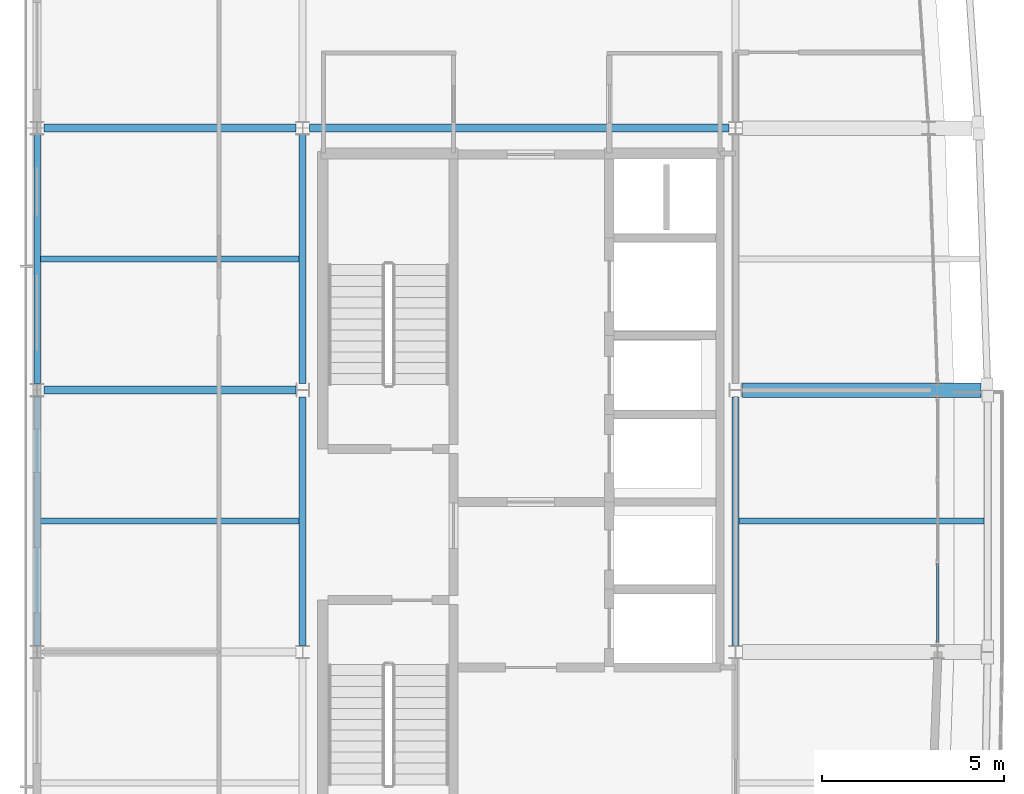
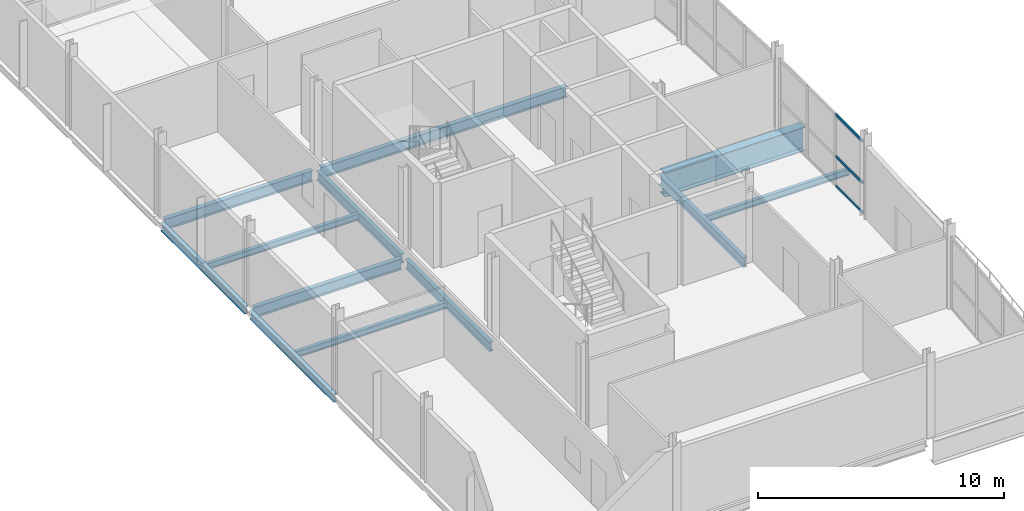
# One storey, part 3 of 17: 12 beams, 3 members, 1 element without a shape of its own.
"""IFC4 building model written with IfcOpenShell, lengths in metres."""

import ifcopenshell
import ifcopenshell.guid

model = None  # the IFC model being written
_history = None  # IfcOwnerHistory: only IFC2X3 demands one
_inside = {}  # id of a spatial element -> (the spatial element, [elements in it])
_under = {}  # id of a project, library or spatial element -> (it, [spatial elements below it])
_declared = {}  # id of a project -> (the project, [libraries it declares])
_typed = {}  # id of a type object -> (the type object, [elements of that type])
_made_of = {}  # id of a material, layer set ... -> (it, [elements and type objects made of it])


def new_model(schema):
    """Start an empty IFC model of exactly this schema.

    Asked for "IFC4X3", IfcOpenShell would pick the latest addendum, in which some entities
    have other attributes; the version numbers below select the first issue.
    IFC2X3 requires an IfcOwnerHistory on every rooted entity: one is made here for all.
    """
    global model, _history
    if schema == "IFC4X3":
        model = ifcopenshell.file(schema_version=(4, 3, 0, 0))
    else:
        model = ifcopenshell.file(schema=schema)
    _inside.clear()
    _under.clear()
    _declared.clear()
    _typed.clear()
    _made_of.clear()
    _history = None
    if model.schema == "IFC2X3":
        org = make("IfcOrganization", Name="unknown")
        user = make(
            "IfcPersonAndOrganization",
            ThePerson=make("IfcPerson", FamilyName="unknown"),
            TheOrganization=org,
        )
        app = make(
            "IfcApplication",
            ApplicationDeveloper=org,
            Version="unknown",
            ApplicationFullName="unknown",
            ApplicationIdentifier="unknown",
        )
        _history = make(
            "IfcOwnerHistory",
            OwningUser=user,
            OwningApplication=app,
            ChangeAction="ADDED",
            CreationDate=0,
        )
    return model


def make(cls, **values):
    """One entity of the class cls with the attributes given. An attribute that is None is left unset."""
    return model.create_entity(
        cls, **{name: value for name, value in values.items() if value is not None}
    )


def rooted(cls, **values):
    """An entity with a GlobalId (a new one), such as an element, a storey or a relation."""
    return make(cls, GlobalId=ifcopenshell.guid.new(), OwnerHistory=_history, **values)


def si_unit(unit_type, name, prefix=None):
    """IfcSIUnit, for example si_unit("LENGTHUNIT", "METRE", prefix="MILLI")."""
    return make("IfcSIUnit", UnitType=unit_type, Prefix=prefix, Name=name)


def assignment(units):
    """IfcUnitAssignment: the units of a project."""
    return None if units is None else make("IfcUnitAssignment", Units=units)


def point(xyz):
    """IfcCartesianPoint."""
    return None if xyz is None else make("IfcCartesianPoint", Coordinates=xyz)


def direction(xyz):
    """IfcDirection."""
    return None if xyz is None else make("IfcDirection", DirectionRatios=xyz)


def frame(location, z_axis=None, x_axis=None):
    """IfcAxis2Placement3D, a coordinate frame: its origin and axes. An axis left out is left unset."""
    return make(
        "IfcAxis2Placement3D",
        Location=point(location),
        Axis=direction(z_axis),
        RefDirection=direction(x_axis),
    )


def frame_2d(location, x_axis=None):
    """IfcAxis2Placement2D, a coordinate frame in the plane: its origin and x axis."""
    return make(
        "IfcAxis2Placement2D", Location=point(location), RefDirection=direction(x_axis)
    )


def origin():
    """The frame at (0, 0, 0) with its axes left unset."""
    return frame((0.0, 0.0, 0.0))


def origin_2d():
    """The frame at (0, 0) in the plane with its x axis left unset."""
    return frame_2d((0.0, 0.0))


def place(relative_to, where):
    """IfcLocalPlacement: puts the frame where relative to a parent placement (None: the world)."""
    return make(
        "IfcLocalPlacement", PlacementRelTo=relative_to, RelativePlacement=where
    )


def context(
    kind, dimensions, precision=None, world=None, true_north=None, identifier=None
):
    """IfcGeometricRepresentationContext, for example the 3D "Model" context."""
    return make(
        "IfcGeometricRepresentationContext",
        ContextIdentifier=identifier,
        ContextType=kind,
        CoordinateSpaceDimension=dimensions,
        Precision=precision,
        WorldCoordinateSystem=world,
        TrueNorth=true_north,
    )


def subcontext(parent, identifier, kind, view, scale=None):
    """IfcGeometricRepresentationSubContext, for example "Body" below "Model"."""
    return make(
        "IfcGeometricRepresentationSubContext",
        ContextIdentifier=identifier,
        ContextType=kind,
        ParentContext=parent,
        TargetScale=scale,
        TargetView=view,
    )


def project(units=None, contexts=None):
    """IfcProject with its units and contexts."""
    return rooted(
        "IfcProject",
        Name="project",
        RepresentationContexts=contexts,
        UnitsInContext=assignment(units),
    )


def spatial(cls, under=None, at=None, **own):
    """A site, building, storey or space (cls), placed at a placement, below another one or the project."""
    s = rooted(cls, ObjectPlacement=at, **own)
    if under is not None:
        _under.setdefault(under.id(), (under, []))[1].append(s)
    return s


def profile(cls, at=None, kind="AREA", **sizes):
    """A parametric profile (cls). Its sizes go by their IFC names, for example OverallWidth=200.0."""
    return make(cls, ProfileType=kind, Position=at, **sizes)


def hollow_rectangle(**sizes):
    """IfcRectangleHollowProfileDef."""
    return profile("IfcRectangleHollowProfileDef", **sizes)


def i_section(**sizes):
    """IfcIShapeProfileDef."""
    return profile("IfcIShapeProfileDef", **sizes)


def extrude(swept, where, along, depth):
    """IfcExtrudedAreaSolid: the profile swept, set in the frame where, extruded along a direction by depth."""
    return make(
        "IfcExtrudedAreaSolid",
        SweptArea=swept,
        Position=where,
        ExtrudedDirection=direction(along),
        Depth=depth,
    )


def shape(context_of_items, identifier, shape_type, items):
    """IfcShapeRepresentation: the items that make up one representation, for example the "Body"."""
    return make(
        "IfcShapeRepresentation",
        ContextOfItems=context_of_items,
        RepresentationIdentifier=identifier,
        RepresentationType=shape_type,
        Items=items,
    )


def material(Name=None, Category=None):
    """IfcMaterial."""
    return make("IfcMaterial", Name=Name, Category=Category)


def layer(
    of_material, thickness, ventilated=None, Name=None, Category=None, Priority=None
):
    """IfcMaterialLayer: one layer of a wall or slab, of a material (None: an air gap)."""
    return make(
        "IfcMaterialLayer",
        Material=of_material,
        LayerThickness=thickness,
        IsVentilated=ventilated,
        Name=Name,
        Category=Category,
        Priority=Priority,
    )


def layer_set(layers, Name=None):
    """IfcMaterialLayerSet."""
    return make("IfcMaterialLayerSet", MaterialLayers=layers, LayerSetName=Name)


def material_profile(
    of_material, cross_section, Name=None, Category=None, Priority=None
):
    """IfcMaterialProfile: a cross section and its material."""
    return make(
        "IfcMaterialProfile",
        Name=Name,
        Material=of_material,
        Profile=cross_section,
        Priority=Priority,
        Category=Category,
    )


def profile_set(profiles, Name=None, composite=None):
    """IfcMaterialProfileSet."""
    return make(
        "IfcMaterialProfileSet",
        Name=Name,
        MaterialProfiles=profiles,
        CompositeProfile=composite,
    )


def made_of(thing, what):
    """Note that an element or type object is made of a material, layer set ...; save() writes the relation."""
    if what is not None:
        _made_of.setdefault(what.id(), (what, []))[1].append(thing)
    return thing


def type_object(cls, material=None, **own):
    """A type object (cls), such as IfcWallType, which elements share."""
    return made_of(rooted(cls, **own), material)


def element(
    cls,
    number,
    at=None,
    inside=None,
    cuts=None,
    type_object=None,
    material=None,
    context=None,
    identifier="Body",
    shape_type=None,
    held_by="IfcProductDefinitionShape",
    body=None,
    shapes=None,
    **own,
):
    """One element of the class cls, such as IfcWall. Its Tag is "e" and its number.

    at: its placement. inside: the storey or other place that contains it. cuts: it is an
    opening in that element (IfcRelVoidsElement). A single representation is given by context,
    identifier, shape_type and body (its items); several are given by shapes. held_by: the class
    of the entity that holds the representations. save() writes the other relations.
    """
    e = rooted(cls, Tag="e%d" % number, ObjectPlacement=at, **own)
    if body is not None:
        shapes = [shape(context, identifier, shape_type, body)]
    if shapes is not None:
        e.Representation = make(held_by, Representations=shapes)
    if inside is not None:
        _inside.setdefault(inside.id(), (inside, []))[1].append(e)
    if cuts is not None:
        rooted(
            "IfcRelVoidsElement", RelatingBuildingElement=cuts, RelatedOpeningElement=e
        )
    if type_object is not None:
        _typed.setdefault(type_object.id(), (type_object, []))[1].append(e)
    return made_of(e, material)


def aggregate(whole, parts):
    """IfcRelAggregates: a whole, such as a stair, and the parts it consists of."""
    return rooted("IfcRelAggregates", RelatingObject=whole, RelatedObjects=parts)


def save(model, path):
    """Write the relations noted so far, then the file.

    IfcRelAggregates (storeys below a building ...), IfcRelContainedInSpatialStructure (elements
    in a storey), IfcRelDefinesByType, IfcRelAssociatesMaterial and IfcRelDeclares: one each for
    every whole, place, type object, material and project.
    """
    for whole, parts in _under.values():
        aggregate(whole, parts)
    for where, things in _inside.values():
        rooted(
            "IfcRelContainedInSpatialStructure",
            RelatedElements=things,
            RelatingStructure=where,
        )
    for kind, things in _typed.values():
        rooted("IfcRelDefinesByType", RelatedObjects=things, RelatingType=kind)
    for what, things in _made_of.values():
        rooted("IfcRelAssociatesMaterial", RelatedObjects=things, RelatingMaterial=what)
    for by, libraries in _declared.values():
        rooted("IfcRelDeclares", RelatingContext=by, RelatedDefinitions=libraries)
    model.write(path)


model = new_model("IFC4")

# Units and contexts
model_context = context("Model", 3, precision=1e-05, world=origin(), true_north=direction((0.0, 1.0)))
body_context = subcontext(model_context, "Body", "Model", "MODEL_VIEW")
ifc_project = project(units=[si_unit("LENGTHUNIT", "METRE"), si_unit("AREAUNIT", "SQUARE_METRE"), si_unit("VOLUMEUNIT", "CUBIC_METRE"), si_unit("PLANEANGLEUNIT", "RADIAN"), si_unit("MASSUNIT", "GRAM", prefix="KILO")], contexts=[model_context])

# Site, building, storey
site_placement = place(None, origin())
site = spatial("IfcSite", under=ifc_project, at=site_placement, CompositionType="ELEMENT")
building_placement = place(site_placement, origin())
building = spatial("IfcBuilding", under=site, at=building_placement, Name="Quillay Park Conservatory", CompositionType="ELEMENT")
storey_placement = place(building_placement, frame((0.0, 0.0, 47.699951171875)))
storey = spatial("IfcBuildingStorey", under=building, at=storey_placement, Name="L11", CompositionType="ELEMENT", Elevation=47.699951171875)

# Beams
ifc_material_1 = material(Name="Steel ASTM A992 Grade 50", Category="steel")
ifc_material_profile_1 = material_profile(ifc_material_1, i_section(OverallWidth=0.166015625, OverallDepth=0.31298828125, WebThickness=0.006591796875, FlangeThickness=0.01123046875, FilletRadius=0.010009765625, at=origin_2d()), Name="W310x45")
ifc_profile_set_1 = profile_set([ifc_material_profile_1], Name="Steel ASTM A992 Grade 50")
beam_type_1 = type_object("IfcBeamType", Name="COMPOSITE FLOOR JOIST W310 X45", PredefinedType="JOIST", material=ifc_profile_set_1)
beam_1_placement = place(storey_placement, frame((0.639892578125, 88.800048828125, -0.38134765625), z_axis=(1.0, 0.0, 0.0), x_axis=(0.0, 1.0, 0.0)))
element("IfcBeam", 1, at=beam_1_placement, inside=storey, type_object=beam_type_1, Name="L11 beam BM-J-0804", PredefinedType="JOIST", context=body_context, shape_type="SweptSolid", body=[
    extrude(i_section(OverallWidth=0.166015625, OverallDepth=0.31298828125, WebThickness=0.006591796875, FlangeThickness=0.01123046875, FilletRadius=0.010009765625, at=origin_2d()), origin(), (0.0, 0.0, 1.0), 7.114013671875),
])
beam_2_placement = place(storey_placement, frame((19.845947265625, 88.800048828125, -0.38134765625), z_axis=(1.0, 0.0, 0.0), x_axis=(0.0, 1.0, 0.0)))
element("IfcBeam", 2, at=beam_2_placement, inside=storey, type_object=beam_type_1, Name="L11 beam BM-J-0805", PredefinedType="JOIST", context=body_context, shape_type="SweptSolid", body=[
    extrude(i_section(OverallWidth=0.166015625, OverallDepth=0.31298828125, WebThickness=0.006591796875, FlangeThickness=0.01123046875, FilletRadius=0.010009765625, at=origin_2d()), origin(), (0.0, 0.0, 1.0), 6.72900390625),
])
beam_3_placement = place(storey_placement, frame((0.639892578125, 96.0, -0.38134765625), z_axis=(1.0, 0.0, 0.0), x_axis=(0.0, 1.0, 0.0)))
element("IfcBeam", 3, at=beam_3_placement, inside=storey, type_object=beam_type_1, Name="L11 beam BM-J-0810", PredefinedType="JOIST", context=body_context, shape_type="SweptSolid", body=[
    extrude(i_section(OverallWidth=0.166015625, OverallDepth=0.31298828125, WebThickness=0.006591796875, FlangeThickness=0.01123046875, FilletRadius=0.010009765625, at=origin_2d()), origin(), (0.0, 0.0, 1.0), 7.114013671875),
])

# Curtain wall, members
ifc_material_2 = material(Name="Thermally Broken Anodised Aluminium 6063-T6", Category="aluminium")
ifc_layer = layer(ifc_material_2, 0.179931640625)
ifc_layer_set = layer_set([ifc_layer], Name="UNITISED CURTAIN WALL TOWER (Thermally Broken Anodised Aluminium 6063-T6)")
curtain_wall_type = type_object("IfcCurtainWallType", Name="UNITISED CURTAIN WALL TOWER", PredefinedType="USERDEFINED", material=ifc_layer_set)
curtain_wall_placement = place(storey_placement, origin())
curtain_wall = element("IfcCurtainWall", 4, at=curtain_wall_placement, inside=storey, type_object=curtain_wall_type, Name="L11 Unitised Curtain Wall 106", ObjectType="UNITISED CURTAIN WALL", PredefinedType="USERDEFINED")
ifc_material_3 = material(Name="Thermally Broken Anodised Aluminium 6063-T6", Category="aluminium")
ifc_material_profile_2 = material_profile(ifc_material_3, hollow_rectangle(XDim=0.070068359375, YDim=0.1298828125, WallThickness=0.003173828125, at=origin_2d()), Name="AL70x130x3.2")
ifc_profile_set_2 = profile_set([ifc_material_profile_2], Name="Thermally Broken Anodised Aluminium 6063-T6")
member_type = type_object("IfcMemberType", Name="CURTAIN WALL TRANSOM 70 X130", PredefinedType="USERDEFINED", material=ifc_profile_set_2)
member_1_placement = place(storey_placement, frame((25.300048828125, 87.631591796875, 0.03515625), z_axis=(0.0, -1.0, 0.0), x_axis=(1.0, 0.0, 0.0)))
member_1 = element("IfcMember", 5, at=member_1_placement, type_object=member_type, Name="CW-T1 transom 3.1", ObjectType="TRANSOM", PredefinedType="USERDEFINED", context=body_context, shape_type="SweptSolid", body=[
    extrude(hollow_rectangle(XDim=0.070068359375, YDim=0.1298828125, WallThickness=0.003173828125, at=origin_2d()), origin(), (0.0, 0.0, 1.0), 2.16162109375),
])
member_2_placement = place(storey_placement, frame((25.300048828125, 87.631591796875, 1.51171875), z_axis=(0.0, -1.0, 0.0), x_axis=(1.0, 0.0, 0.0)))
member_2 = element("IfcMember", 6, at=member_2_placement, type_object=member_type, Name="CW-T1 transom 3.2", ObjectType="TRANSOM", PredefinedType="USERDEFINED", context=body_context, shape_type="SweptSolid", body=[
    extrude(hollow_rectangle(XDim=0.070068359375, YDim=0.1298828125, WallThickness=0.003173828125, at=origin_2d()), origin(), (0.0, 0.0, 1.0), 2.16162109375),
])
member_3_placement = place(storey_placement, frame((25.300048828125, 87.631591796875, 3.56396484375), z_axis=(0.0, -1.0, 0.0), x_axis=(1.0, 0.0, 0.0)))
member_3 = element("IfcMember", 7, at=member_3_placement, type_object=member_type, Name="CW-T1 transom 3.3", ObjectType="TRANSOM", PredefinedType="USERDEFINED", context=body_context, shape_type="SweptSolid", body=[
    extrude(hollow_rectangle(XDim=0.070068359375, YDim=0.1298828125, WallThickness=0.003173828125, at=origin_2d()), origin(), (0.0, 0.0, 1.0), 2.16162109375),
])
aggregate(curtain_wall, [member_1, member_2, member_3])

# Beams
ifc_material_4 = material(Name="Steel ASTM A992 Grade 50", Category="steel")
ifc_material_profile_3 = material_profile(ifc_material_4, i_section(OverallWidth=0.179931640625, OverallDepth=0.4130859375, WebThickness=0.009765625, FlangeThickness=0.01611328125, FilletRadius=0.011962890625, at=origin_2d()), Name="W410x74")
ifc_profile_set_3 = profile_set([ifc_material_profile_3], Name="Steel ASTM A992 Grade 50")
beam_type_2 = type_object("IfcBeamType", Name="PERIMETER SPANDREL BEAM W410 X74", PredefinedType="SPANDREL", material=ifc_profile_set_3)
for number, where, z_axis, x_axis, name in (
    (8, (0.550048828125, 85.382080078125, -0.431396484375), (0.0, 1.0, 0.0), (-1.0, 0.0, 0.0), "L11 beam BM-SPW-0800"),
    (9, (0.550048828125, 92.58203125, -0.431396484375), (0.0, 1.0, 0.0), (-1.0, 0.0, 0.0), "L11 beam BM-SPW-0806"),
):
    element("IfcBeam", number, at=place(storey_placement, frame(where, z_axis=z_axis, x_axis=x_axis)), inside=storey, type_object=beam_type_2, Name=name, PredefinedType="SPANDREL", context=body_context, shape_type="SweptSolid", body=[
        extrude(i_section(OverallWidth=0.179931640625, OverallDepth=0.4130859375, WebThickness=0.009765625, FlangeThickness=0.01611328125, FilletRadius=0.011962890625, at=origin_2d()), origin(), (0.0, 0.0, 1.0), 6.8359375),
    ])
ifc_material_5 = material(Name="Steel ASTM A992 Grade 50", Category="steel")
ifc_material_profile_4 = material_profile(ifc_material_5, i_section(OverallWidth=0.19189453125, OverallDepth=0.462890625, WebThickness=0.010498046875, FlangeThickness=0.017578125, FilletRadius=0.012939453125, at=origin_2d()), Name="W460x89")
ifc_profile_set_4 = profile_set([ifc_material_profile_4], Name="Steel ASTM A992 Grade 50")
beam_type_3 = type_object("IfcBeamType", Name="PRIMARY FLOOR GIRDER W460 X89", PredefinedType="BEAM", material=ifc_profile_set_4)
for number, where, z_axis, x_axis, name in (
    (10, (7.85009765625, 85.382080078125, -0.45654296875), (0.0, 1.0, 0.0), (-1.0, 0.0, 0.0), "L11 beam BM-GNS-0802"),
    (11, (19.75, 85.382080078125, -0.45654296875), (0.0, 1.0, 0.0), (-1.0, 0.0, 0.0), "L11 beam BM-GNS-0803"),
    (12, (7.85009765625, 92.58544921875, -0.45654296875), (0.0, 1.0, 0.0), (-1.0, 0.0, 0.0), "L11 beam BM-GNS-0808"),
):
    element("IfcBeam", number, at=place(storey_placement, frame(where, z_axis=z_axis, x_axis=x_axis)), inside=storey, type_object=beam_type_3, Name=name, PredefinedType="BEAM", context=body_context, shape_type="SweptSolid", body=[
        extrude(i_section(OverallWidth=0.19189453125, OverallDepth=0.462890625, WebThickness=0.010498046875, FlangeThickness=0.017578125, FilletRadius=0.012939453125, at=origin_2d()), origin(), (0.0, 0.0, 1.0), 6.83251953125),
    ])
ifc_material_6 = material(Name="Steel ASTM A992 Grade 50", Category="steel")
ifc_material_profile_5 = material_profile(ifc_material_6, i_section(OverallWidth=0.2109375, OverallDepth=0.5390625, WebThickness=0.01171875, FlangeThickness=0.018798828125, FilletRadius=0.013916015625, at=origin_2d()), Name="W530x109")
ifc_profile_set_5 = profile_set([ifc_material_profile_5], Name="Steel ASTM A992 Grade 50")
beam_type_4 = type_object("IfcBeamType", Name="PRIMARY FLOOR GIRDER W530 X109", PredefinedType="BEAM", material=ifc_profile_set_5)
beam_4_placement = place(storey_placement, frame((0.735595703125, 92.39990234375, -0.494384765625), z_axis=(1.0, 0.0, 0.0), x_axis=(0.0, 1.0, 0.0)))
element("IfcBeam", 13, at=beam_4_placement, inside=storey, type_object=beam_type_4, Name="L11 beam BM-G-0776", PredefinedType="BEAM", context=body_context, shape_type="SweptSolid", body=[
    extrude(i_section(OverallWidth=0.2109375, OverallDepth=0.5390625, WebThickness=0.01171875, FlangeThickness=0.018798828125, FilletRadius=0.013916015625, at=origin_2d()), origin(), (0.0, 0.0, 1.0), 6.932373046875),
])
beam_5_placement = place(storey_placement, frame((0.735595703125, 99.60009765625, -0.494384765625), z_axis=(1.0, 0.0, 0.0), x_axis=(0.0, 1.0, 0.0)))
element("IfcBeam", 14, at=beam_5_placement, inside=storey, type_object=beam_type_4, Name="L11 beam BM-G-0778", PredefinedType="BEAM", context=body_context, shape_type="SweptSolid", body=[
    extrude(i_section(OverallWidth=0.2109375, OverallDepth=0.5390625, WebThickness=0.01171875, FlangeThickness=0.018798828125, FilletRadius=0.013916015625, at=origin_2d()), origin(), (0.0, 0.0, 1.0), 6.928955078125),
])
beam_6_placement = place(storey_placement, frame((8.035400390625, 99.60009765625, -0.494384765625), z_axis=(1.0, 0.0, 0.0), x_axis=(0.0, 1.0, 0.0)))
element("IfcBeam", 15, at=beam_6_placement, inside=storey, type_object=beam_type_4, Name="L11 beam BM-G-0779", PredefinedType="BEAM", context=body_context, shape_type="SweptSolid", body=[
    extrude(i_section(OverallWidth=0.2109375, OverallDepth=0.5390625, WebThickness=0.01171875, FlangeThickness=0.018798828125, FilletRadius=0.013916015625, at=origin_2d()), origin(), (0.0, 0.0, 1.0), 11.529052734375),
])
ifc_material_7 = material(Name="Steel ASTM A572 Grade 50", Category="steel")
ifc_material_profile_6 = material_profile(ifc_material_7, i_section(OverallWidth=0.39990234375, OverallDepth=1.199951171875, WebThickness=0.02001953125, FlangeThickness=0.0380859375, at=origin_2d()), Name="IG1200x400")
ifc_profile_set_6 = profile_set([ifc_material_profile_6], Name="Steel ASTM A572 Grade 50")
beam_type_5 = type_object("IfcBeamType", Name="TRANSFER PLATE GIRDER IG1200", PredefinedType="USERDEFINED", material=ifc_profile_set_6)
beam_7_placement = place(storey_placement, frame((19.931884765625, 92.39990234375, -0.824951171875), z_axis=(1.0, 0.0, 0.0), x_axis=(0.0, 1.0, 0.0)))
element("IfcBeam", 16, at=beam_7_placement, inside=storey, type_object=beam_type_5, Name="L11 beam BM-TG2-0777", ObjectType="TRANSFER PLATE GIRDER", PredefinedType="USERDEFINED", context=body_context, shape_type="SweptSolid", body=[
    extrude(i_section(OverallWidth=0.39990234375, OverallDepth=1.199951171875, WebThickness=0.02001953125, FlangeThickness=0.0380859375, at=origin_2d()), origin(), (0.0, 0.0, 1.0), 6.5576171875),
])

save(model, "model.ifc")
